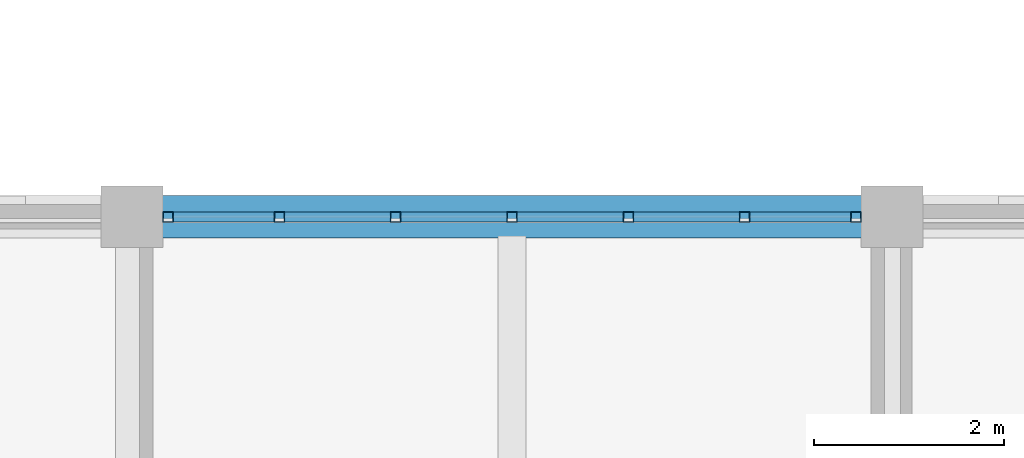
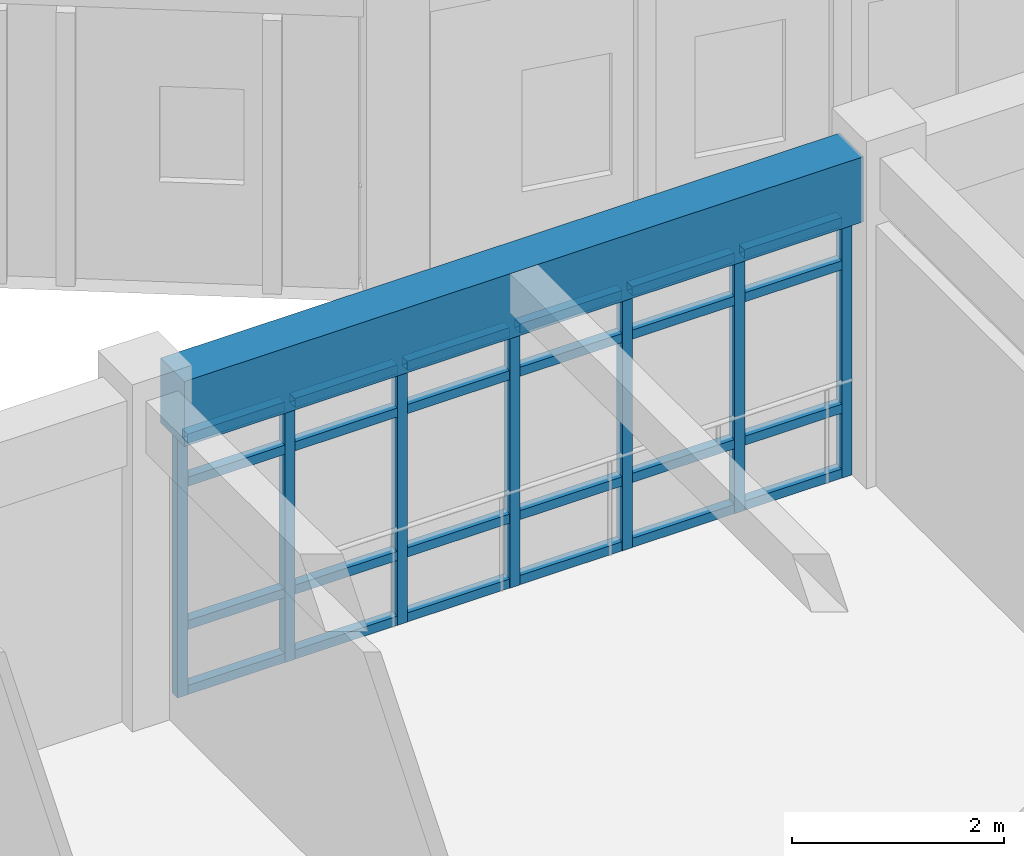
# One storey, part 22 of 112: 31 members, 1 beam, 1 element without a shape of its own.
"""IFC4 building model written with IfcOpenShell, lengths in metres."""

from ifc_helpers import new_model, si_unit, direction, frame, origin, origin_2d, place, context, subcontext, project, spatial, rectangle, hollow_rectangle, extrude, material, material_profile, profile_set, type_object, element, aggregate, save


model = new_model("IFC4")

# Units and contexts
model_context = context("Model", 3, precision=1e-05, world=origin(), true_north=direction((0.0, 1.0)))
body_context = subcontext(model_context, "Body", "Model", "MODEL_VIEW")
ifc_project = project(units=[si_unit("LENGTHUNIT", "METRE"), si_unit("AREAUNIT", "SQUARE_METRE"), si_unit("VOLUMEUNIT", "CUBIC_METRE"), si_unit("PLANEANGLEUNIT", "RADIAN"), si_unit("MASSUNIT", "GRAM", prefix="KILO")], contexts=[model_context])

# Site, building, storey
site_placement = place(None, origin())
site = spatial("IfcSite", under=ifc_project, at=site_placement, CompositionType="ELEMENT")
building_placement = place(site_placement, origin())
building = spatial("IfcBuilding", under=site, at=building_placement, Name="Celadon Cloister-Ring School", CompositionType="ELEMENT")
storey_placement = place(building_placement, frame((0.0, 0.0, 8.5)))
storey = spatial("IfcBuildingStorey", under=building, at=storey_placement, Name="L02", CompositionType="ELEMENT", Elevation=8.5)

# Curtain wall, members
ifc_material_1 = material(Name="Aluminium EN AW-6063 T6", Category="aluminium")
curtain_wall_type = type_object("IfcCurtainWallType", Name="CW-15", PredefinedType="USERDEFINED", material=ifc_material_1)
curtain_wall_placement = place(storey_placement, origin())
curtain_wall = element("IfcCurtainWall", 1, at=curtain_wall_placement, inside=storey, type_object=curtain_wall_type, Name="Curtain Wall 0199", ObjectType="CURTAIN WALL", PredefinedType="USERDEFINED")
ifc_material_2 = material(Name="Aluminium EN AW-6063 T6", Category="aluminium")
ifc_material_profile_1 = material_profile(ifc_material_2, hollow_rectangle(XDim=0.110107421875, YDim=0.110107421875, WallThickness=0.0048828125, at=origin_2d()), Name="RHS110X110X5")
ifc_profile_set_1 = profile_set([ifc_material_profile_1], Name="Aluminium EN AW-6063 T6")
member_type_1 = type_object("IfcMemberType", Name="CM-01", PredefinedType="MULLION", material=ifc_profile_set_1)
member_1_placement = place(storey_placement, frame((8.3798828125, 76.0, 0.0), z_axis=(0.0, 0.0, 1.0), x_axis=(0.0, 1.0, 0.0)))
member_1 = element("IfcMember", 2, at=member_1_placement, type_object=member_type_1, Name="CW-15 mullion 1", PredefinedType="MULLION", context=body_context, shape_type="SweptSolid", body=[
    extrude(hollow_rectangle(XDim=0.110107421875, YDim=0.110107421875, WallThickness=0.0048828125, at=origin_2d()), origin(), (0.0, 0.0, 1.0), 3.001953125),
])
member_2_placement = place(storey_placement, frame((9.550048828125, 76.0, 0.0), z_axis=(0.0, 0.0, 1.0), x_axis=(0.0, 1.0, 0.0)))
member_2 = element("IfcMember", 3, at=member_2_placement, type_object=member_type_1, Name="CW-15 mullion 2", PredefinedType="MULLION", context=body_context, shape_type="SweptSolid", body=[
    extrude(hollow_rectangle(XDim=0.110107421875, YDim=0.110107421875, WallThickness=0.0048828125, at=origin_2d()), origin(), (0.0, 0.0, 1.0), 3.001953125),
])
member_3_placement = place(storey_placement, frame((10.77490234375, 76.0, 0.0), z_axis=(0.0, 0.0, 1.0), x_axis=(0.0, 1.0, 0.0)))
member_3 = element("IfcMember", 4, at=member_3_placement, type_object=member_type_1, Name="CW-15 mullion 3", PredefinedType="MULLION", context=body_context, shape_type="SweptSolid", body=[
    extrude(hollow_rectangle(XDim=0.110107421875, YDim=0.110107421875, WallThickness=0.0048828125, at=origin_2d()), origin(), (0.0, 0.0, 1.0), 3.001953125),
])
member_4_placement = place(storey_placement, frame((12.0, 76.0, 0.0), z_axis=(0.0, 0.0, 1.0), x_axis=(0.0, 1.0, 0.0)))
member_4 = element("IfcMember", 5, at=member_4_placement, type_object=member_type_1, Name="CW-15 mullion 4", PredefinedType="MULLION", context=body_context, shape_type="SweptSolid", body=[
    extrude(hollow_rectangle(XDim=0.110107421875, YDim=0.110107421875, WallThickness=0.0048828125, at=origin_2d()), origin(), (0.0, 0.0, 1.0), 3.001953125),
])
member_5_placement = place(storey_placement, frame((13.22509765625, 76.0, 0.0), z_axis=(0.0, 0.0, 1.0), x_axis=(0.0, 1.0, 0.0)))
member_5 = element("IfcMember", 6, at=member_5_placement, type_object=member_type_1, Name="CW-15 mullion 5", PredefinedType="MULLION", context=body_context, shape_type="SweptSolid", body=[
    extrude(hollow_rectangle(XDim=0.110107421875, YDim=0.110107421875, WallThickness=0.0048828125, at=origin_2d()), origin(), (0.0, 0.0, 1.0), 3.001953125),
])
member_6_placement = place(storey_placement, frame((14.449951171875, 76.0, 0.0), z_axis=(0.0, 0.0, 1.0), x_axis=(0.0, 1.0, 0.0)))
member_6 = element("IfcMember", 7, at=member_6_placement, type_object=member_type_1, Name="CW-15 mullion 6", PredefinedType="MULLION", context=body_context, shape_type="SweptSolid", body=[
    extrude(hollow_rectangle(XDim=0.110107421875, YDim=0.110107421875, WallThickness=0.0048828125, at=origin_2d()), origin(), (0.0, 0.0, 1.0), 3.001953125),
])
member_7_placement = place(storey_placement, frame((15.6201171875, 76.0, 0.0), z_axis=(0.0, 0.0, 1.0), x_axis=(0.0, 1.0, 0.0)))
member_7 = element("IfcMember", 8, at=member_7_placement, type_object=member_type_1, Name="CW-15 mullion 7", PredefinedType="MULLION", context=body_context, shape_type="SweptSolid", body=[
    extrude(hollow_rectangle(XDim=0.110107421875, YDim=0.110107421875, WallThickness=0.0048828125, at=origin_2d()), origin(), (0.0, 0.0, 1.0), 3.001953125),
])
ifc_material_3 = material(Name="Aluminium EN AW-6063 T6", Category="aluminium")
ifc_material_profile_2 = material_profile(ifc_material_3, hollow_rectangle(XDim=0.10498046875, YDim=0.10498046875, WallThickness=0.0048828125, at=origin_2d()), Name="RHS105X105X5")
ifc_profile_set_2 = profile_set([ifc_material_profile_2], Name="Aluminium EN AW-6063 T6")
member_type_2 = type_object("IfcMemberType", Name="CTM-01", PredefinedType="USERDEFINED", material=ifc_profile_set_2)
member_8_placement = place(storey_placement, frame((8.43505859375, 76.0, 0.052490234375), z_axis=(1.0, 0.0, 0.0), x_axis=(0.0, 1.0, 0.0)))
member_8 = element("IfcMember", 9, at=member_8_placement, type_object=member_type_2, Name="CW-15 transom 1.1", ObjectType="TRANSOM", PredefinedType="USERDEFINED", context=body_context, shape_type="SweptSolid", body=[
    extrude(hollow_rectangle(XDim=0.10498046875, YDim=0.10498046875, WallThickness=0.0048828125, at=origin_2d()), origin(), (0.0, 0.0, 1.0), 1.06005859375),
])
member_9_placement = place(storey_placement, frame((8.43505859375, 76.0, 0.800048828125), z_axis=(1.0, 0.0, 0.0), x_axis=(0.0, 1.0, 0.0)))
member_9 = element("IfcMember", 10, at=member_9_placement, type_object=member_type_2, Name="CW-15 transom 1.2", ObjectType="TRANSOM", PredefinedType="USERDEFINED", context=body_context, shape_type="SweptSolid", body=[
    extrude(hollow_rectangle(XDim=0.10498046875, YDim=0.10498046875, WallThickness=0.0048828125, at=origin_2d()), origin(), (0.0, 0.0, 1.0), 1.06005859375),
])
member_10_placement = place(storey_placement, frame((8.43505859375, 76.0, 2.451904296875), z_axis=(1.0, 0.0, 0.0), x_axis=(0.0, 1.0, 0.0)))
member_10 = element("IfcMember", 11, at=member_10_placement, type_object=member_type_2, Name="CW-15 transom 1.3", ObjectType="TRANSOM", PredefinedType="USERDEFINED", context=body_context, shape_type="SweptSolid", body=[
    extrude(hollow_rectangle(XDim=0.10498046875, YDim=0.10498046875, WallThickness=0.0048828125, at=origin_2d()), origin(), (0.0, 0.0, 1.0), 1.06005859375),
])
member_11_placement = place(storey_placement, frame((8.43505859375, 76.0, 2.949462890625), z_axis=(1.0, 0.0, 0.0), x_axis=(0.0, 1.0, 0.0)))
member_11 = element("IfcMember", 12, at=member_11_placement, type_object=member_type_2, Name="CW-15 transom 1.4", ObjectType="TRANSOM", PredefinedType="USERDEFINED", context=body_context, shape_type="SweptSolid", body=[
    extrude(hollow_rectangle(XDim=0.10498046875, YDim=0.10498046875, WallThickness=0.0048828125, at=origin_2d()), origin(), (0.0, 0.0, 1.0), 1.06005859375),
])
member_12_placement = place(storey_placement, frame((9.60498046875, 76.0, 0.052490234375), z_axis=(1.0, 0.0, 0.0), x_axis=(0.0, 1.0, 0.0)))
member_12 = element("IfcMember", 13, at=member_12_placement, type_object=member_type_2, Name="CW-15 transom 2.1", ObjectType="TRANSOM", PredefinedType="USERDEFINED", context=body_context, shape_type="SweptSolid", body=[
    extrude(hollow_rectangle(XDim=0.10498046875, YDim=0.10498046875, WallThickness=0.0048828125, at=origin_2d()), origin(), (0.0, 0.0, 1.0), 1.114990234375),
])
member_13_placement = place(storey_placement, frame((9.60498046875, 76.0, 0.800048828125), z_axis=(1.0, 0.0, 0.0), x_axis=(0.0, 1.0, 0.0)))
member_13 = element("IfcMember", 14, at=member_13_placement, type_object=member_type_2, Name="CW-15 transom 2.2", ObjectType="TRANSOM", PredefinedType="USERDEFINED", context=body_context, shape_type="SweptSolid", body=[
    extrude(hollow_rectangle(XDim=0.10498046875, YDim=0.10498046875, WallThickness=0.0048828125, at=origin_2d()), origin(), (0.0, 0.0, 1.0), 1.114990234375),
])
member_14_placement = place(storey_placement, frame((9.60498046875, 76.0, 2.451904296875), z_axis=(1.0, 0.0, 0.0), x_axis=(0.0, 1.0, 0.0)))
member_14 = element("IfcMember", 15, at=member_14_placement, type_object=member_type_2, Name="CW-15 transom 2.3", ObjectType="TRANSOM", PredefinedType="USERDEFINED", context=body_context, shape_type="SweptSolid", body=[
    extrude(hollow_rectangle(XDim=0.10498046875, YDim=0.10498046875, WallThickness=0.0048828125, at=origin_2d()), origin(), (0.0, 0.0, 1.0), 1.114990234375),
])
member_15_placement = place(storey_placement, frame((9.60498046875, 76.0, 2.949462890625), z_axis=(1.0, 0.0, 0.0), x_axis=(0.0, 1.0, 0.0)))
member_15 = element("IfcMember", 16, at=member_15_placement, type_object=member_type_2, Name="CW-15 transom 2.4", ObjectType="TRANSOM", PredefinedType="USERDEFINED", context=body_context, shape_type="SweptSolid", body=[
    extrude(hollow_rectangle(XDim=0.10498046875, YDim=0.10498046875, WallThickness=0.0048828125, at=origin_2d()), origin(), (0.0, 0.0, 1.0), 1.114990234375),
])
member_16_placement = place(storey_placement, frame((10.830078125, 76.0, 0.052490234375), z_axis=(1.0, 0.0, 0.0), x_axis=(0.0, 1.0, 0.0)))
member_16 = element("IfcMember", 17, at=member_16_placement, type_object=member_type_2, Name="CW-15 transom 3.1", ObjectType="TRANSOM", PredefinedType="USERDEFINED", context=body_context, shape_type="SweptSolid", body=[
    extrude(hollow_rectangle(XDim=0.10498046875, YDim=0.10498046875, WallThickness=0.0048828125, at=origin_2d()), origin(), (0.0, 0.0, 1.0), 1.114990234375),
])
member_17_placement = place(storey_placement, frame((10.830078125, 76.0, 0.800048828125), z_axis=(1.0, 0.0, 0.0), x_axis=(0.0, 1.0, 0.0)))
member_17 = element("IfcMember", 18, at=member_17_placement, type_object=member_type_2, Name="CW-15 transom 3.2", ObjectType="TRANSOM", PredefinedType="USERDEFINED", context=body_context, shape_type="SweptSolid", body=[
    extrude(hollow_rectangle(XDim=0.10498046875, YDim=0.10498046875, WallThickness=0.0048828125, at=origin_2d()), origin(), (0.0, 0.0, 1.0), 1.114990234375),
])
member_18_placement = place(storey_placement, frame((10.830078125, 76.0, 2.451904296875), z_axis=(1.0, 0.0, 0.0), x_axis=(0.0, 1.0, 0.0)))
member_18 = element("IfcMember", 19, at=member_18_placement, type_object=member_type_2, Name="CW-15 transom 3.3", ObjectType="TRANSOM", PredefinedType="USERDEFINED", context=body_context, shape_type="SweptSolid", body=[
    extrude(hollow_rectangle(XDim=0.10498046875, YDim=0.10498046875, WallThickness=0.0048828125, at=origin_2d()), origin(), (0.0, 0.0, 1.0), 1.114990234375),
])
member_19_placement = place(storey_placement, frame((10.830078125, 76.0, 2.949462890625), z_axis=(1.0, 0.0, 0.0), x_axis=(0.0, 1.0, 0.0)))
member_19 = element("IfcMember", 20, at=member_19_placement, type_object=member_type_2, Name="CW-15 transom 3.4", ObjectType="TRANSOM", PredefinedType="USERDEFINED", context=body_context, shape_type="SweptSolid", body=[
    extrude(hollow_rectangle(XDim=0.10498046875, YDim=0.10498046875, WallThickness=0.0048828125, at=origin_2d()), origin(), (0.0, 0.0, 1.0), 1.114990234375),
])
member_20_placement = place(storey_placement, frame((12.054931640625, 76.0, 0.052490234375), z_axis=(1.0, 0.0, 0.0), x_axis=(0.0, 1.0, 0.0)))
member_20 = element("IfcMember", 21, at=member_20_placement, type_object=member_type_2, Name="CW-15 transom 4.1", ObjectType="TRANSOM", PredefinedType="USERDEFINED", context=body_context, shape_type="SweptSolid", body=[
    extrude(hollow_rectangle(XDim=0.10498046875, YDim=0.10498046875, WallThickness=0.0048828125, at=origin_2d()), origin(), (0.0, 0.0, 1.0), 1.114990234375),
])
member_21_placement = place(storey_placement, frame((12.054931640625, 76.0, 0.800048828125), z_axis=(1.0, 0.0, 0.0), x_axis=(0.0, 1.0, 0.0)))
member_21 = element("IfcMember", 22, at=member_21_placement, type_object=member_type_2, Name="CW-15 transom 4.2", ObjectType="TRANSOM", PredefinedType="USERDEFINED", context=body_context, shape_type="SweptSolid", body=[
    extrude(hollow_rectangle(XDim=0.10498046875, YDim=0.10498046875, WallThickness=0.0048828125, at=origin_2d()), origin(), (0.0, 0.0, 1.0), 1.114990234375),
])
member_22_placement = place(storey_placement, frame((12.054931640625, 76.0, 2.451904296875), z_axis=(1.0, 0.0, 0.0), x_axis=(0.0, 1.0, 0.0)))
member_22 = element("IfcMember", 23, at=member_22_placement, type_object=member_type_2, Name="CW-15 transom 4.3", ObjectType="TRANSOM", PredefinedType="USERDEFINED", context=body_context, shape_type="SweptSolid", body=[
    extrude(hollow_rectangle(XDim=0.10498046875, YDim=0.10498046875, WallThickness=0.0048828125, at=origin_2d()), origin(), (0.0, 0.0, 1.0), 1.114990234375),
])
member_23_placement = place(storey_placement, frame((12.054931640625, 76.0, 2.949462890625), z_axis=(1.0, 0.0, 0.0), x_axis=(0.0, 1.0, 0.0)))
member_23 = element("IfcMember", 24, at=member_23_placement, type_object=member_type_2, Name="CW-15 transom 4.4", ObjectType="TRANSOM", PredefinedType="USERDEFINED", context=body_context, shape_type="SweptSolid", body=[
    extrude(hollow_rectangle(XDim=0.10498046875, YDim=0.10498046875, WallThickness=0.0048828125, at=origin_2d()), origin(), (0.0, 0.0, 1.0), 1.114990234375),
])
member_24_placement = place(storey_placement, frame((13.280029296875, 76.0, 0.052490234375), z_axis=(1.0, 0.0, 0.0), x_axis=(0.0, 1.0, 0.0)))
member_24 = element("IfcMember", 25, at=member_24_placement, type_object=member_type_2, Name="CW-15 transom 5.1", ObjectType="TRANSOM", PredefinedType="USERDEFINED", context=body_context, shape_type="SweptSolid", body=[
    extrude(hollow_rectangle(XDim=0.10498046875, YDim=0.10498046875, WallThickness=0.0048828125, at=origin_2d()), origin(), (0.0, 0.0, 1.0), 1.114990234375),
])
member_25_placement = place(storey_placement, frame((13.280029296875, 76.0, 0.800048828125), z_axis=(1.0, 0.0, 0.0), x_axis=(0.0, 1.0, 0.0)))
member_25 = element("IfcMember", 26, at=member_25_placement, type_object=member_type_2, Name="CW-15 transom 5.2", ObjectType="TRANSOM", PredefinedType="USERDEFINED", context=body_context, shape_type="SweptSolid", body=[
    extrude(hollow_rectangle(XDim=0.10498046875, YDim=0.10498046875, WallThickness=0.0048828125, at=origin_2d()), origin(), (0.0, 0.0, 1.0), 1.114990234375),
])
member_26_placement = place(storey_placement, frame((13.280029296875, 76.0, 2.451904296875), z_axis=(1.0, 0.0, 0.0), x_axis=(0.0, 1.0, 0.0)))
member_26 = element("IfcMember", 27, at=member_26_placement, type_object=member_type_2, Name="CW-15 transom 5.3", ObjectType="TRANSOM", PredefinedType="USERDEFINED", context=body_context, shape_type="SweptSolid", body=[
    extrude(hollow_rectangle(XDim=0.10498046875, YDim=0.10498046875, WallThickness=0.0048828125, at=origin_2d()), origin(), (0.0, 0.0, 1.0), 1.114990234375),
])
member_27_placement = place(storey_placement, frame((13.280029296875, 76.0, 2.949462890625), z_axis=(1.0, 0.0, 0.0), x_axis=(0.0, 1.0, 0.0)))
member_27 = element("IfcMember", 28, at=member_27_placement, type_object=member_type_2, Name="CW-15 transom 5.4", ObjectType="TRANSOM", PredefinedType="USERDEFINED", context=body_context, shape_type="SweptSolid", body=[
    extrude(hollow_rectangle(XDim=0.10498046875, YDim=0.10498046875, WallThickness=0.0048828125, at=origin_2d()), origin(), (0.0, 0.0, 1.0), 1.114990234375),
])
member_28_placement = place(storey_placement, frame((14.5048828125, 76.0, 0.052490234375), z_axis=(1.0, 0.0, 0.0), x_axis=(0.0, 1.0, 0.0)))
member_28 = element("IfcMember", 29, at=member_28_placement, type_object=member_type_2, Name="CW-15 transom 6.1", ObjectType="TRANSOM", PredefinedType="USERDEFINED", context=body_context, shape_type="SweptSolid", body=[
    extrude(hollow_rectangle(XDim=0.10498046875, YDim=0.10498046875, WallThickness=0.0048828125, at=origin_2d()), origin(), (0.0, 0.0, 1.0), 1.06005859375),
])
member_29_placement = place(storey_placement, frame((14.5048828125, 76.0, 0.800048828125), z_axis=(1.0, 0.0, 0.0), x_axis=(0.0, 1.0, 0.0)))
member_29 = element("IfcMember", 30, at=member_29_placement, type_object=member_type_2, Name="CW-15 transom 6.2", ObjectType="TRANSOM", PredefinedType="USERDEFINED", context=body_context, shape_type="SweptSolid", body=[
    extrude(hollow_rectangle(XDim=0.10498046875, YDim=0.10498046875, WallThickness=0.0048828125, at=origin_2d()), origin(), (0.0, 0.0, 1.0), 1.06005859375),
])
member_30_placement = place(storey_placement, frame((14.5048828125, 76.0, 2.451904296875), z_axis=(1.0, 0.0, 0.0), x_axis=(0.0, 1.0, 0.0)))
member_30 = element("IfcMember", 31, at=member_30_placement, type_object=member_type_2, Name="CW-15 transom 6.3", ObjectType="TRANSOM", PredefinedType="USERDEFINED", context=body_context, shape_type="SweptSolid", body=[
    extrude(hollow_rectangle(XDim=0.10498046875, YDim=0.10498046875, WallThickness=0.0048828125, at=origin_2d()), origin(), (0.0, 0.0, 1.0), 1.06005859375),
])
member_31_placement = place(storey_placement, frame((14.5048828125, 76.0, 2.949462890625), z_axis=(1.0, 0.0, 0.0), x_axis=(0.0, 1.0, 0.0)))
member_31 = element("IfcMember", 32, at=member_31_placement, type_object=member_type_2, Name="CW-15 transom 6.4", ObjectType="TRANSOM", PredefinedType="USERDEFINED", context=body_context, shape_type="SweptSolid", body=[
    extrude(hollow_rectangle(XDim=0.10498046875, YDim=0.10498046875, WallThickness=0.0048828125, at=origin_2d()), origin(), (0.0, 0.0, 1.0), 1.06005859375),
])
aggregate(curtain_wall, [member_1, member_2, member_3, member_4, member_5, member_6, member_7, member_8, member_9, member_10, member_11, member_12, member_13, member_14, member_15, member_16, member_17, member_18, member_19, member_20, member_21, member_22, member_23, member_24, member_25, member_26, member_27, member_28, member_29, member_30, member_31])

# Beam
ifc_material_4 = material(Name="Concrete C35/45", Category="concrete")
ifc_material_profile_3 = material_profile(ifc_material_4, rectangle(XDim=0.449951171875, YDim=0.75, at=origin_2d()), Name="RC450X750")
ifc_profile_set_3 = profile_set([ifc_material_profile_3], Name="Concrete C35/45")
beam_type = type_object("IfcBeamType", Name="GT-02", PredefinedType="USERDEFINED", material=ifc_profile_set_3)
beam_placement = place(storey_placement, frame((8.300048828125, 76.0, 3.385009765625), z_axis=(1.0, 0.0, 0.0), x_axis=(0.0, 1.0, 0.0)))
element("IfcBeam", 33, at=beam_placement, inside=storey, type_object=beam_type, Name="Beam 1572", ObjectType="GIRDER", PredefinedType="USERDEFINED", context=body_context, shape_type="SweptSolid", body=[
    extrude(rectangle(XDim=0.449951171875, YDim=0.75, at=origin_2d()), origin(), (0.0, 0.0, 1.0), 7.39990234375),
])

save(model, "model.ifc")
